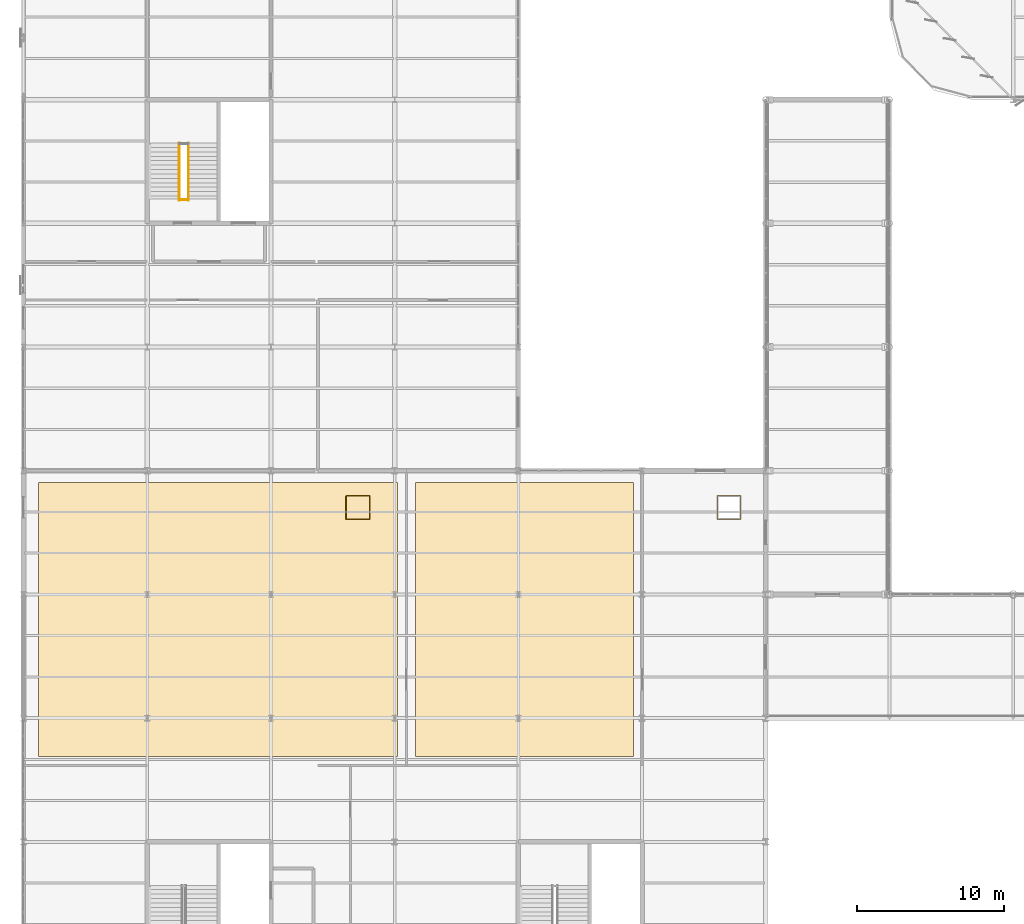
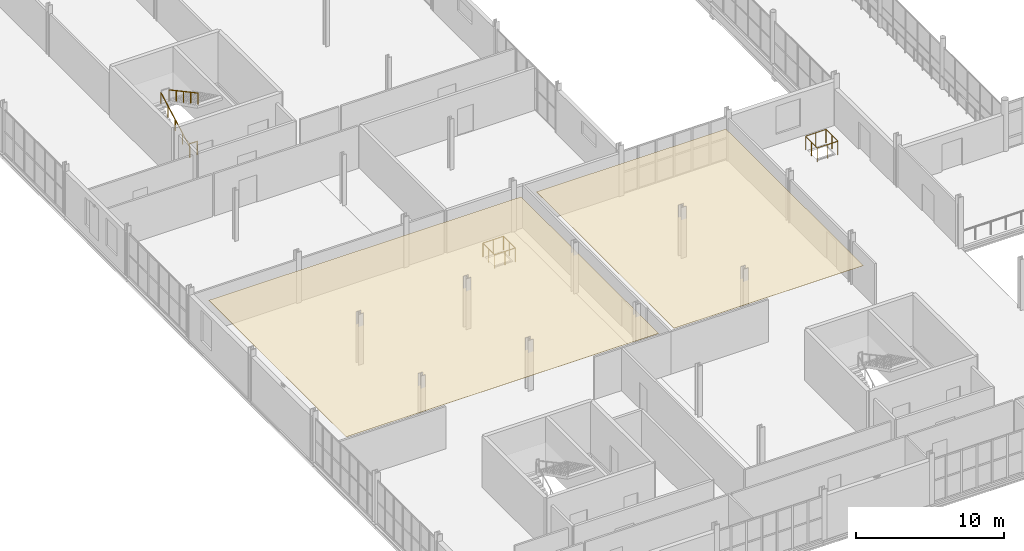
# One storey, part 155 of 163: 5 railings, 2 coverings.
"""IFC4 building model written with IfcOpenShell, lengths in metres."""

from ifc_helpers import new_model, si_unit, direction, frame, origin, origin_2d, place, context, subcontext, project, spatial, polyline, circle, outline, extrude, material, layer, layer_set, type_object, element, save


model = new_model("IFC4")

# Units and contexts
model_context = context("Model", 3, precision=1e-05, world=origin(), true_north=direction((0.0, 1.0)))
body_context = subcontext(model_context, "Body", "Model", "MODEL_VIEW")
ifc_project = project(units=[si_unit("LENGTHUNIT", "METRE"), si_unit("AREAUNIT", "SQUARE_METRE"), si_unit("VOLUMEUNIT", "CUBIC_METRE"), si_unit("PLANEANGLEUNIT", "RADIAN"), si_unit("MASSUNIT", "GRAM", prefix="KILO")], contexts=[model_context])

# Site, building, storey
site_placement = place(None, origin())
site = spatial("IfcSite", under=ifc_project, at=site_placement, CompositionType="ELEMENT")
building_placement = place(site_placement, origin())
building = spatial("IfcBuilding", under=site, at=building_placement, Name="Qalvenar Corner Mobility Hub", CompositionType="ELEMENT")
storey_placement = place(building_placement, frame((0.0, 0.0, 4.800048828125)))
storey = spatial("IfcBuildingStorey", under=building, at=storey_placement, Name="L01", CompositionType="ELEMENT", Elevation=4.800048828125)

# Coverings
ifc_material_1 = material(Name="Perforated Acoustic Mineral Ceiling Board", Category="concrete")
ifc_layer = layer(ifc_material_1, 0.02490234375)
ifc_layer_set = layer_set([ifc_layer], Name="Perforated Acoustic Mineral Ceiling Board")
covering_type = type_object("IfcCoveringType", Name="COV-CEIL-AC", PredefinedType="CEILING", material=ifc_layer_set)
covering_1_placement = place(storey_placement, frame((0.0, 0.0, 3.14990234375)))
element("IfcCovering", 1, at=covering_1_placement, inside=storey, type_object=covering_type, Name="First Floor Lounge Acoustic Ceiling", PredefinedType="CEILING", context=body_context, shape_type="SweptSolid", body=[
    extrude(outline(polyline([(1.0, 22.60009765625), (25.39990234375, 22.60009765625), (25.39990234375, 41.199951171875), (1.0, 41.199951171875), (1.0, 22.60009765625)])), origin(), (0.0, 0.0, 1.0), 0.025146484375),
])
covering_2_placement = place(storey_placement, frame((0.0, 0.0, 3.14990234375)))
element("IfcCovering", 2, at=covering_2_placement, inside=storey, type_object=covering_type, Name="Community Exhibition Acoustic Ceiling", PredefinedType="CEILING", context=body_context, shape_type="SweptSolid", body=[
    extrude(outline(polyline([(26.60009765625, 22.60009765625), (41.39990234375, 22.60009765625), (41.39990234375, 41.199951171875), (26.60009765625, 41.199951171875), (26.60009765625, 22.60009765625)])), origin(), (0.0, 0.0, 1.0), 0.025146484375),
])

# Railings
ifc_material_2 = material(Name="Art Nouveau Bronze-Finished Steel Balustrade", Category="steel")
railing_type_1 = type_object("IfcRailingType", Name="RL-GUARD-110", PredefinedType="GUARDRAIL", material=ifc_material_2)
railing_1_placement = place(storey_placement, frame((10.590087890625, 60.39990234375, 0.0)))
element("IfcRailing", 3, at=railing_1_placement, inside=storey, type_object=railing_type_1, Name="Stair Arrival Slot Guard C5-L01", PredefinedType="GUARDRAIL", context=body_context, shape_type="SweptSolid", body=[
    extrude(circle(Radius=0.02392578125, at=origin_2d()), frame((0.0, 0.0, 1.09619140625), z_axis=(1.0, 0.0, 0.0), x_axis=(0.0, 1.0, 0.0)), (0.0, 0.0, 1.0), 0.599853515625),
    extrude(circle(Radius=0.02099609375, at=origin_2d()), origin(), (0.0, 0.0, 1.0), 1.072021484375),
    extrude(circle(Radius=0.02099609375, at=origin_2d()), frame((0.599853515625, 0.0, 0.0)), (0.0, 0.0, 1.0), 1.072021484375),
])
ifc_material_3 = material(Name="Galvanised Steel Deck Edge Barrier", Category="steel")
railing_type_2 = type_object("IfcRailingType", Name="RL-GUARD-115", PredefinedType="GUARDRAIL", material=ifc_material_3)
railing_2_placement = place(storey_placement, frame((21.89990234375, 38.699951171875, 0.0)))
element("IfcRailing", 4, at=railing_2_placement, inside=storey, type_object=railing_type_2, Name="Riser Opening Guard V3-A-L01", PredefinedType="GUARDRAIL", context=body_context, shape_type="SweptSolid", body=[
    extrude(circle(Radius=0.02392578125, at=origin_2d()), frame((0.0, 0.0, 1.1259765625), z_axis=(1.0, 0.0, 0.0), x_axis=(0.0, 1.0, 0.0)), (0.0, 0.0, 1.0), 1.60009765625),
    extrude(circle(Radius=0.02392578125, at=origin_2d()), frame((1.60009765625, 0.0, 1.1259765625), z_axis=(0.0, 1.0, 0.0), x_axis=(-1.0, 0.0, 0.0)), (0.0, 0.0, 1.0), 1.60009765625),
    extrude(circle(Radius=0.02392578125, at=origin_2d()), frame((1.60009765625, 1.60009765625, 1.1259765625), z_axis=(-1.0, 0.0, 0.0), x_axis=(0.0, -1.0, 0.0)), (0.0, 0.0, 1.0), 1.60009765625),
    extrude(circle(Radius=0.02392578125, at=origin_2d()), frame((0.0, 1.60009765625, 1.1259765625), z_axis=(0.0, -1.0, 0.0), x_axis=(1.0, 0.0, 0.0)), (0.0, 0.0, 1.0), 1.60009765625),
    extrude(circle(Radius=0.02099609375, at=origin_2d()), origin(), (0.0, 0.0, 1.0), 1.101806640625),
    extrude(circle(Radius=0.02099609375, at=origin_2d()), frame((0.800048828125, 0.0, 0.0)), (0.0, 0.0, 1.0), 1.101806640625),
    extrude(circle(Radius=0.02099609375, at=origin_2d()), frame((1.60009765625, 0.0, 0.0)), (0.0, 0.0, 1.0), 1.101806640625),
    extrude(circle(Radius=0.02099609375, at=origin_2d()), frame((1.60009765625, 0.800048828125, 0.0)), (0.0, 0.0, 1.0), 1.101806640625),
    extrude(circle(Radius=0.02099609375, at=origin_2d()), frame((1.60009765625, 1.60009765625, 0.0)), (0.0, 0.0, 1.0), 1.101806640625),
    extrude(circle(Radius=0.02099609375, at=origin_2d()), frame((0.800048828125, 1.60009765625, 0.0)), (0.0, 0.0, 1.0), 1.101806640625),
    extrude(circle(Radius=0.02099609375, at=origin_2d()), frame((0.0, 1.60009765625, 0.0)), (0.0, 0.0, 1.0), 1.101806640625),
    extrude(circle(Radius=0.02099609375, at=origin_2d()), frame((0.0, 0.800048828125, 0.0)), (0.0, 0.0, 1.0), 1.101806640625),
])
railing_3_placement = place(storey_placement, frame((47.10009765625, 38.699951171875, 0.0)))
element("IfcRailing", 5, at=railing_3_placement, inside=storey, type_object=railing_type_2, Name="Riser Opening Guard V3-B-L01", PredefinedType="GUARDRAIL", context=body_context, shape_type="SweptSolid", body=[
    extrude(circle(Radius=0.02392578125, at=origin_2d()), frame((0.0, 0.0, 1.1259765625), z_axis=(1.0, 0.0, 0.0), x_axis=(0.0, 1.0, 0.0)), (0.0, 0.0, 1.0), 1.599853515625),
    extrude(circle(Radius=0.02392578125, at=origin_2d()), frame((1.599853515625, 0.0, 1.1259765625), z_axis=(0.0, 1.0, 0.0), x_axis=(-1.0, 0.0, 0.0)), (0.0, 0.0, 1.0), 1.60009765625),
    extrude(circle(Radius=0.02392578125, at=origin_2d()), frame((1.599853515625, 1.60009765625, 1.1259765625), z_axis=(-1.0, 0.0, 0.0), x_axis=(0.0, -1.0, 0.0)), (0.0, 0.0, 1.0), 1.599853515625),
    extrude(circle(Radius=0.02392578125, at=origin_2d()), frame((0.0, 1.60009765625, 1.1259765625), z_axis=(0.0, -1.0, 0.0), x_axis=(1.0, 0.0, 0.0)), (0.0, 0.0, 1.0), 1.60009765625),
    extrude(circle(Radius=0.02099609375, at=origin_2d()), origin(), (0.0, 0.0, 1.0), 1.101806640625),
    extrude(circle(Radius=0.02099609375, at=origin_2d()), frame((0.7998046875, 0.0, 0.0)), (0.0, 0.0, 1.0), 1.101806640625),
    extrude(circle(Radius=0.02099609375, at=origin_2d()), frame((1.599853515625, 0.0, 0.0)), (0.0, 0.0, 1.0), 1.101806640625),
    extrude(circle(Radius=0.02099609375, at=origin_2d()), frame((1.599853515625, 0.800048828125, 0.0)), (0.0, 0.0, 1.0), 1.101806640625),
    extrude(circle(Radius=0.02099609375, at=origin_2d()), frame((1.599853515625, 1.60009765625, 0.0)), (0.0, 0.0, 1.0), 1.101806640625),
    extrude(circle(Radius=0.02099609375, at=origin_2d()), frame((0.7998046875, 1.60009765625, 0.0)), (0.0, 0.0, 1.0), 1.101806640625),
    extrude(circle(Radius=0.02099609375, at=origin_2d()), frame((0.0, 1.60009765625, 0.0)), (0.0, 0.0, 1.0), 1.101806640625),
    extrude(circle(Radius=0.02099609375, at=origin_2d()), frame((0.0, 0.800048828125, 0.0)), (0.0, 0.0, 1.0), 1.101806640625),
])
ifc_material_4 = material(Name="Brushed Stainless Steel Handrail", Category="steel")
railing_type_3 = type_object("IfcRailingType", Name="RL-HAND-092", PredefinedType="HANDRAIL", material=ifc_material_4)
railing_4_placement = place(storey_placement, frame((10.570068359375, 60.35009765625, 0.0)))
element("IfcRailing", 6, at=railing_4_placement, inside=storey, type_object=railing_type_3, Name="Stair Handrail ST5-L01-1", PredefinedType="HANDRAIL", context=body_context, shape_type="SweptSolid", body=[
    extrude(circle(Radius=0.02392578125, at=origin_2d()), frame((0.0, 0.0, 0.89599609375), z_axis=(0.0, 0.88047994924, 0.474083388219), x_axis=(-1.0, 0.0, 0.0)), (0.0, 0.0, 1.0), 4.42919921875),
    extrude(circle(Radius=0.02099609375, at=origin_2d()), origin(), (0.0, 0.0, 1.0), 0.871826171875),
    extrude(circle(Radius=0.02099609375, at=origin_2d()), frame((0.0, 0.97509765625, 0.52490234375)), (0.0, 0.0, 1.0), 0.871826171875),
    extrude(circle(Radius=0.02099609375, at=origin_2d()), frame((0.0, 1.949951171875, 1.0498046875)), (0.0, 0.0, 1.0), 0.871826171875),
    extrude(circle(Radius=0.02099609375, at=origin_2d()), frame((0.0, 2.9248046875, 1.574951171875)), (0.0, 0.0, 1.0), 0.871826171875),
    extrude(circle(Radius=0.02099609375, at=origin_2d()), frame((0.0, 3.89990234375, 2.099853515625)), (0.0, 0.0, 1.0), 0.871826171875),
])
railing_5_placement = place(storey_placement, frame((11.2099609375, 64.25, 2.099853515625)))
element("IfcRailing", 7, at=railing_5_placement, inside=storey, type_object=railing_type_3, Name="Stair Handrail ST5-L01-2", PredefinedType="HANDRAIL", context=body_context, shape_type="SweptSolid", body=[
    extrude(circle(Radius=0.02392578125, at=origin_2d()), frame((0.0, 0.0, 0.89599609375), z_axis=(0.0, -0.880456940745, 0.474126117709), x_axis=(1.0, 0.0, 0.0)), (0.0, 0.0, 1.0), 4.429443359375),
    extrude(circle(Radius=0.02099609375, at=origin_2d()), origin(), (0.0, 0.0, 1.0), 0.871826171875),
    extrude(circle(Radius=0.02099609375, at=origin_2d()), frame((0.0, -0.97509765625, 0.52490234375)), (0.0, 0.0, 1.0), 0.871826171875),
    extrude(circle(Radius=0.02099609375, at=origin_2d()), frame((0.0, -1.949951171875, 1.050048828125)), (0.0, 0.0, 1.0), 0.871826171875),
    extrude(circle(Radius=0.02099609375, at=origin_2d()), frame((0.0, -2.9248046875, 1.5751953125)), (0.0, 0.0, 1.0), 0.871826171875),
    extrude(circle(Radius=0.02099609375, at=origin_2d()), frame((0.0, -3.89990234375, 2.10009765625)), (0.0, 0.0, 1.0), 0.871826171875),
])

save(model, "model.ifc")
